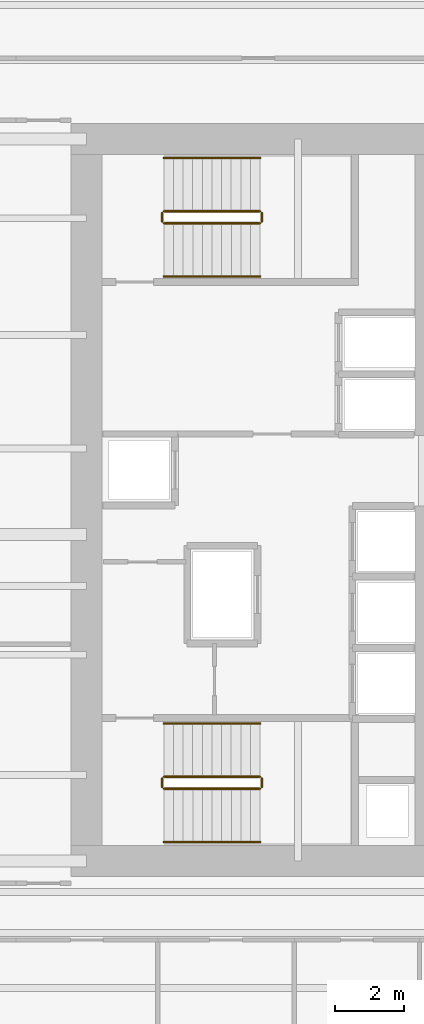
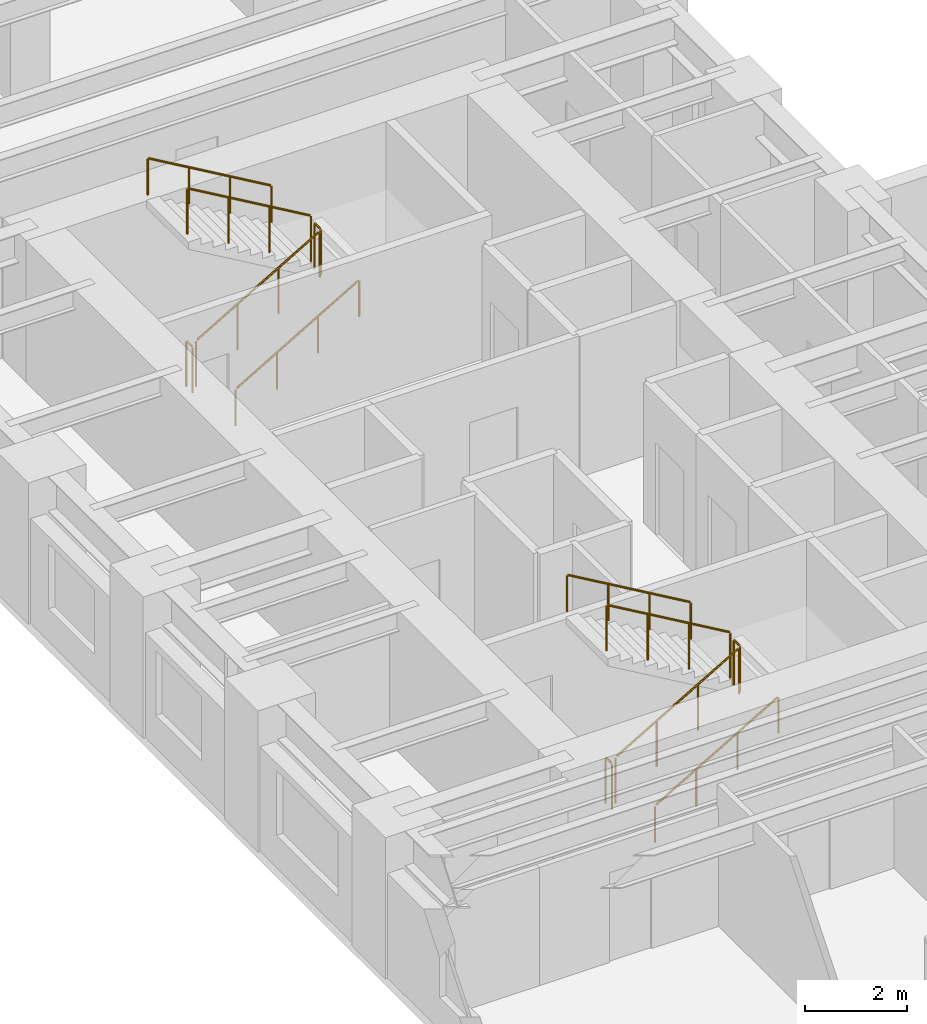
# One storey, part 11 of 12: 12 railings.
"""IFC4 building model written with IfcOpenShell, lengths in metres."""

import ifcopenshell
import ifcopenshell.guid

model = None  # the IFC model being written
_history = None  # IfcOwnerHistory: only IFC2X3 demands one
_inside = {}  # id of a spatial element -> (the spatial element, [elements in it])
_under = {}  # id of a project, library or spatial element -> (it, [spatial elements below it])
_declared = {}  # id of a project -> (the project, [libraries it declares])
_typed = {}  # id of a type object -> (the type object, [elements of that type])
_made_of = {}  # id of a material, layer set ... -> (it, [elements and type objects made of it])


def new_model(schema):
    """Start an empty IFC model of exactly this schema.

    Asked for "IFC4X3", IfcOpenShell would pick the latest addendum, in which some entities
    have other attributes; the version numbers below select the first issue.
    IFC2X3 requires an IfcOwnerHistory on every rooted entity: one is made here for all.
    """
    global model, _history
    if schema == "IFC4X3":
        model = ifcopenshell.file(schema_version=(4, 3, 0, 0))
    else:
        model = ifcopenshell.file(schema=schema)
    _inside.clear()
    _under.clear()
    _declared.clear()
    _typed.clear()
    _made_of.clear()
    _history = None
    if model.schema == "IFC2X3":
        org = make("IfcOrganization", Name="unknown")
        user = make(
            "IfcPersonAndOrganization",
            ThePerson=make("IfcPerson", FamilyName="unknown"),
            TheOrganization=org,
        )
        app = make(
            "IfcApplication",
            ApplicationDeveloper=org,
            Version="unknown",
            ApplicationFullName="unknown",
            ApplicationIdentifier="unknown",
        )
        _history = make(
            "IfcOwnerHistory",
            OwningUser=user,
            OwningApplication=app,
            ChangeAction="ADDED",
            CreationDate=0,
        )
    return model


def make(cls, **values):
    """One entity of the class cls with the attributes given. An attribute that is None is left unset."""
    return model.create_entity(
        cls, **{name: value for name, value in values.items() if value is not None}
    )


def rooted(cls, **values):
    """An entity with a GlobalId (a new one), such as an element, a storey or a relation."""
    return make(cls, GlobalId=ifcopenshell.guid.new(), OwnerHistory=_history, **values)


def si_unit(unit_type, name, prefix=None):
    """IfcSIUnit, for example si_unit("LENGTHUNIT", "METRE", prefix="MILLI")."""
    return make("IfcSIUnit", UnitType=unit_type, Prefix=prefix, Name=name)


def assignment(units):
    """IfcUnitAssignment: the units of a project."""
    return None if units is None else make("IfcUnitAssignment", Units=units)


def point(xyz):
    """IfcCartesianPoint."""
    return None if xyz is None else make("IfcCartesianPoint", Coordinates=xyz)


def direction(xyz):
    """IfcDirection."""
    return None if xyz is None else make("IfcDirection", DirectionRatios=xyz)


def frame(location, z_axis=None, x_axis=None):
    """IfcAxis2Placement3D, a coordinate frame: its origin and axes. An axis left out is left unset."""
    return make(
        "IfcAxis2Placement3D",
        Location=point(location),
        Axis=direction(z_axis),
        RefDirection=direction(x_axis),
    )


def frame_2d(location, x_axis=None):
    """IfcAxis2Placement2D, a coordinate frame in the plane: its origin and x axis."""
    return make(
        "IfcAxis2Placement2D", Location=point(location), RefDirection=direction(x_axis)
    )


def origin():
    """The frame at (0, 0, 0) with its axes left unset."""
    return frame((0.0, 0.0, 0.0))


def origin_2d():
    """The frame at (0, 0) in the plane with its x axis left unset."""
    return frame_2d((0.0, 0.0))


def place(relative_to, where):
    """IfcLocalPlacement: puts the frame where relative to a parent placement (None: the world)."""
    return make(
        "IfcLocalPlacement", PlacementRelTo=relative_to, RelativePlacement=where
    )


def context(
    kind, dimensions, precision=None, world=None, true_north=None, identifier=None
):
    """IfcGeometricRepresentationContext, for example the 3D "Model" context."""
    return make(
        "IfcGeometricRepresentationContext",
        ContextIdentifier=identifier,
        ContextType=kind,
        CoordinateSpaceDimension=dimensions,
        Precision=precision,
        WorldCoordinateSystem=world,
        TrueNorth=true_north,
    )


def subcontext(parent, identifier, kind, view, scale=None):
    """IfcGeometricRepresentationSubContext, for example "Body" below "Model"."""
    return make(
        "IfcGeometricRepresentationSubContext",
        ContextIdentifier=identifier,
        ContextType=kind,
        ParentContext=parent,
        TargetScale=scale,
        TargetView=view,
    )


def project(units=None, contexts=None):
    """IfcProject with its units and contexts."""
    return rooted(
        "IfcProject",
        Name="project",
        RepresentationContexts=contexts,
        UnitsInContext=assignment(units),
    )


def spatial(cls, under=None, at=None, **own):
    """A site, building, storey or space (cls), placed at a placement, below another one or the project."""
    s = rooted(cls, ObjectPlacement=at, **own)
    if under is not None:
        _under.setdefault(under.id(), (under, []))[1].append(s)
    return s


def profile(cls, at=None, kind="AREA", **sizes):
    """A parametric profile (cls). Its sizes go by their IFC names, for example OverallWidth=200.0."""
    return make(cls, ProfileType=kind, Position=at, **sizes)


def circle(**sizes):
    """IfcCircleProfileDef."""
    return profile("IfcCircleProfileDef", **sizes)


def extrude(swept, where, along, depth):
    """IfcExtrudedAreaSolid: the profile swept, set in the frame where, extruded along a direction by depth."""
    return make(
        "IfcExtrudedAreaSolid",
        SweptArea=swept,
        Position=where,
        ExtrudedDirection=direction(along),
        Depth=depth,
    )


def shape(context_of_items, identifier, shape_type, items):
    """IfcShapeRepresentation: the items that make up one representation, for example the "Body"."""
    return make(
        "IfcShapeRepresentation",
        ContextOfItems=context_of_items,
        RepresentationIdentifier=identifier,
        RepresentationType=shape_type,
        Items=items,
    )


def source(mapping_origin, context_of_items, identifier, shape_type, items):
    """IfcRepresentationMap: a shape defined once, which mapped items show again and again."""
    return make(
        "IfcRepresentationMap",
        MappingOrigin=mapping_origin,
        MappedRepresentation=shape(context_of_items, identifier, shape_type, items),
    )


def transform(
    local_origin,
    x_axis=None,
    y_axis=None,
    z_axis=None,
    scale=None,
    scale2=None,
    scale3=None,
    uniform=True,
):
    """IfcCartesianTransformationOperator3D, or its non-uniform kind. x_axis, y_axis, z_axis: its Axis1, 2, 3."""
    if uniform:
        return make(
            "IfcCartesianTransformationOperator3D",
            Axis1=direction(x_axis),
            Axis2=direction(y_axis),
            LocalOrigin=point(local_origin),
            Scale=scale,
            Axis3=direction(z_axis),
        )
    return make(
        "IfcCartesianTransformationOperator3DnonUniform",
        Axis1=direction(x_axis),
        Axis2=direction(y_axis),
        LocalOrigin=point(local_origin),
        Scale=scale,
        Axis3=direction(z_axis),
        Scale2=scale2,
        Scale3=scale3,
    )


def mapped(mapping_source, mapping_target):
    """IfcMappedItem: shows the shape of a source again, moved by a transform."""
    return make(
        "IfcMappedItem", MappingSource=mapping_source, MappingTarget=mapping_target
    )


def material(Name=None, Category=None):
    """IfcMaterial."""
    return make("IfcMaterial", Name=Name, Category=Category)


def layer(
    of_material, thickness, ventilated=None, Name=None, Category=None, Priority=None
):
    """IfcMaterialLayer: one layer of a wall or slab, of a material (None: an air gap)."""
    return make(
        "IfcMaterialLayer",
        Material=of_material,
        LayerThickness=thickness,
        IsVentilated=ventilated,
        Name=Name,
        Category=Category,
        Priority=Priority,
    )


def layer_set(layers, Name=None):
    """IfcMaterialLayerSet."""
    return make("IfcMaterialLayerSet", MaterialLayers=layers, LayerSetName=Name)


def made_of(thing, what):
    """Note that an element or type object is made of a material, layer set ...; save() writes the relation."""
    if what is not None:
        _made_of.setdefault(what.id(), (what, []))[1].append(thing)
    return thing


def type_object(cls, material=None, **own):
    """A type object (cls), such as IfcWallType, which elements share."""
    return made_of(rooted(cls, **own), material)


def element(
    cls,
    number,
    at=None,
    inside=None,
    cuts=None,
    type_object=None,
    material=None,
    context=None,
    identifier="Body",
    shape_type=None,
    held_by="IfcProductDefinitionShape",
    body=None,
    shapes=None,
    **own,
):
    """One element of the class cls, such as IfcWall. Its Tag is "e" and its number.

    at: its placement. inside: the storey or other place that contains it. cuts: it is an
    opening in that element (IfcRelVoidsElement). A single representation is given by context,
    identifier, shape_type and body (its items); several are given by shapes. held_by: the class
    of the entity that holds the representations. save() writes the other relations.
    """
    e = rooted(cls, Tag="e%d" % number, ObjectPlacement=at, **own)
    if body is not None:
        shapes = [shape(context, identifier, shape_type, body)]
    if shapes is not None:
        e.Representation = make(held_by, Representations=shapes)
    if inside is not None:
        _inside.setdefault(inside.id(), (inside, []))[1].append(e)
    if cuts is not None:
        rooted(
            "IfcRelVoidsElement", RelatingBuildingElement=cuts, RelatedOpeningElement=e
        )
    if type_object is not None:
        _typed.setdefault(type_object.id(), (type_object, []))[1].append(e)
    return made_of(e, material)


def aggregate(whole, parts):
    """IfcRelAggregates: a whole, such as a stair, and the parts it consists of."""
    return rooted("IfcRelAggregates", RelatingObject=whole, RelatedObjects=parts)


def save(model, path):
    """Write the relations noted so far, then the file.

    IfcRelAggregates (storeys below a building ...), IfcRelContainedInSpatialStructure (elements
    in a storey), IfcRelDefinesByType, IfcRelAssociatesMaterial and IfcRelDeclares: one each for
    every whole, place, type object, material and project.
    """
    for whole, parts in _under.values():
        aggregate(whole, parts)
    for where, things in _inside.values():
        rooted(
            "IfcRelContainedInSpatialStructure",
            RelatedElements=things,
            RelatingStructure=where,
        )
    for kind, things in _typed.values():
        rooted("IfcRelDefinesByType", RelatedObjects=things, RelatingType=kind)
    for what, things in _made_of.values():
        rooted("IfcRelAssociatesMaterial", RelatedObjects=things, RelatingMaterial=what)
    for by, libraries in _declared.values():
        rooted("IfcRelDeclares", RelatingContext=by, RelatedDefinitions=libraries)
    model.write(path)


model = new_model("IFC4")

# Units and contexts
model_context = context("Model", 3, precision=1e-05, world=origin(), true_north=direction((0.0, 1.0)))
body_context = subcontext(model_context, "Body", "Model", "MODEL_VIEW")
ifc_project = project(units=[si_unit("LENGTHUNIT", "METRE"), si_unit("AREAUNIT", "SQUARE_METRE"), si_unit("VOLUMEUNIT", "CUBIC_METRE"), si_unit("PLANEANGLEUNIT", "RADIAN"), si_unit("MASSUNIT", "GRAM", prefix="KILO")], contexts=[model_context])

# Site, building, storey
site_placement = place(None, origin())
site = spatial("IfcSite", under=ifc_project, at=site_placement, CompositionType="ELEMENT")
building_placement = place(site_placement, origin())
building = spatial("IfcBuilding", under=site, at=building_placement, Name="Kharzan Plaza Tower", CompositionType="ELEMENT")
storey_placement = place(building_placement, frame((0.0, 0.0, 51.300048828125)))
storey = spatial("IfcBuildingStorey", under=building, at=storey_placement, Name="L13", CompositionType="ELEMENT", Elevation=51.300048828125)

# Railings
ifc_material_1 = material(Name="Painted Galvanized Architectural Steel", Category="steel")
ifc_layer_1 = layer(ifc_material_1, 0.074951171875)
ifc_layer_set_1 = layer_set([ifc_layer_1], Name="Painted Galvanized Architectural Steel")
railing_type_1 = type_object("IfcRailingType", Name="RL-GUARD-1120", PredefinedType="BALUSTRADE", material=ifc_layer_set_1)
shared_shape_1 = source(origin(), body_context, "Body", "SweptSolid", [
    extrude(circle(Radius=0.02392578125, at=origin_2d()), frame((0.0, 0.0263671875, 1.09619140625), z_axis=(0.0, 1.0, 0.0), x_axis=(-1.0, 0.0, 0.0)), (0.0, 0.0, 1.0), 0.197021484375),
    extrude(circle(Radius=0.02099609375, at=origin_2d()), origin(), (0.0, 0.0, 1.0), 1.072021484375),
    extrude(circle(Radius=0.02099609375, at=origin_2d()), frame((0.0, 0.25, 0.0)), (0.0, 0.0, 1.0), 1.072021484375),
])
for number, where, name in (
    (1, (9.60009765625, 10.64990234375, 1.800048828125), "L13 ST-1 stair guard 2"),
    (2, (6.699951171875, 10.64990234375, 0.0), "L13 ST-1 stair guard 4"),
    (3, (9.60009765625, 27.10009765625, 1.800048828125), "L13 ST-2 stair guard 2"),
    (4, (6.699951171875, 27.10009765625, 0.0), "L13 ST-2 stair guard 4"),
):
    element("IfcRailing", number, at=place(storey_placement, frame(where)), inside=storey, type_object=railing_type_1, Name=name, PredefinedType="BALUSTRADE", context=body_context, shape_type="MappedRepresentation", body=[
        mapped(shared_shape_1, transform((0.0, 0.0, 0.0), x_axis=(1.0, 0.0, 0.0), y_axis=(0.0, 1.0, 0.0), z_axis=(0.0, 0.0, 1.0))),
    ])
shared_shape_2 = source(origin(), body_context, "Body", "SweptSolid", [
    extrude(circle(Radius=0.02392578125, at=origin_2d()), frame((0.02294921875, 0.0, 1.109375), z_axis=(0.863360870873, 0.0, 0.504586966384), x_axis=(0.0, 1.0, 0.0)), (0.0, 0.0, 1.0), 3.190185546875),
    extrude(circle(Radius=0.02099609375, at=origin_2d()), origin(), (0.0, 0.0, 1.0), 1.072021484375),
    extrude(circle(Radius=0.02099609375, at=origin_2d()), frame((0.933349609375, 0.0, 0.54541015625)), (0.0, 0.0, 1.0), 1.072021484375),
    extrude(circle(Radius=0.02099609375, at=origin_2d()), frame((1.86669921875, 0.0, 1.091064453125)), (0.0, 0.0, 1.0), 1.072021484375),
    extrude(circle(Radius=0.02099609375, at=origin_2d()), frame((2.800048828125, 0.0, 1.636474609375)), (0.0, 0.0, 1.0), 1.072021484375),
])
for number, where, name in (
    (5, (6.75, 10.60009765625, 0.16357421875), "L13 ST-1 stair guard 1"),
    (6, (6.75, 27.050048828125, 0.16357421875), "L13 ST-2 stair guard 1"),
):
    element("IfcRailing", number, at=place(storey_placement, frame(where)), inside=storey, type_object=railing_type_1, Name=name, PredefinedType="BALUSTRADE", context=body_context, shape_type="MappedRepresentation", body=[
        mapped(shared_shape_2, transform((0.0, 0.0, 0.0), x_axis=(1.0, 0.0, 0.0), y_axis=(0.0, 1.0, 0.0), z_axis=(0.0, 0.0, 1.0))),
    ])
ifc_material_2 = material(Name="Brushed Stainless Steel", Category="steel")
ifc_layer_2 = layer(ifc_material_2, 0.050048828125)
ifc_layer_set_2 = layer_set([ifc_layer_2], Name="Brushed Stainless Steel")
railing_type_2 = type_object("IfcRailingType", Name="RL-STAIR-HR920", PredefinedType="HANDRAIL", material=ifc_layer_set_2)
shared_shape_3 = source(origin(), body_context, "Body", "SweptSolid", [
    extrude(circle(Radius=0.02392578125, at=origin_2d()), frame((0.02294921875, 0.0, 0.88916015625), z_axis=(0.863360870873, 0.0, 0.504586966384), x_axis=(0.0, 1.0, 0.0)), (0.0, 0.0, 1.0), 3.190185546875),
    extrude(circle(Radius=0.02099609375, at=origin_2d()), origin(), (0.0, 0.0, 1.0), 0.851806640625),
    extrude(circle(Radius=0.02099609375, at=origin_2d()), frame((0.933349609375, 0.0, 0.54541015625)), (0.0, 0.0, 1.0), 0.851806640625),
    extrude(circle(Radius=0.02099609375, at=origin_2d()), frame((1.86669921875, 0.0, 1.091064453125)), (0.0, 0.0, 1.0), 0.851806640625),
    extrude(circle(Radius=0.02099609375, at=origin_2d()), frame((2.800048828125, 0.0, 1.636474609375)), (0.0, 0.0, 1.0), 0.851806640625),
])
for number, where, name in (
    (7, (6.75, 9.050048828125, 0.16357421875), "L13 ST-1 stair handrail 1"),
    (8, (6.75, 25.5, 0.16357421875), "L13 ST-2 stair handrail 1"),
):
    element("IfcRailing", number, at=place(storey_placement, frame(where)), inside=storey, type_object=railing_type_2, Name=name, PredefinedType="HANDRAIL", context=body_context, shape_type="MappedRepresentation", body=[
        mapped(shared_shape_3, transform((0.0, 0.0, 0.0), x_axis=(1.0, 0.0, 0.0), y_axis=(0.0, 1.0, 0.0), z_axis=(0.0, 0.0, 1.0))),
    ])
shared_shape_4 = source(origin(), body_context, "Body", "SweptSolid", [
    extrude(circle(Radius=0.02392578125, at=origin_2d()), frame((-0.02294921875, 0.0, 1.109375), z_axis=(-0.863393664356, 0.0, 0.504530851732), x_axis=(0.0, -1.0, 0.0)), (0.0, 0.0, 1.0), 3.190185546875),
    extrude(circle(Radius=0.02099609375, at=origin_2d()), origin(), (0.0, 0.0, 1.0), 1.072021484375),
    extrude(circle(Radius=0.02099609375, at=origin_2d()), frame((-0.933349609375, 0.0, 0.54541015625)), (0.0, 0.0, 1.0), 1.072021484375),
    extrude(circle(Radius=0.02099609375, at=origin_2d()), frame((-1.86669921875, 0.0, 1.0908203125)), (0.0, 0.0, 1.0), 1.072021484375),
    extrude(circle(Radius=0.02099609375, at=origin_2d()), frame((-2.800048828125, 0.0, 1.63623046875)), (0.0, 0.0, 1.0), 1.072021484375),
])
for number, where, name in (
    (9, (9.550048828125, 10.949951171875, 1.963623046875), "L13 ST-1 stair guard 3"),
    (10, (9.550048828125, 27.39990234375, 1.963623046875), "L13 ST-2 stair guard 3"),
):
    element("IfcRailing", number, at=place(storey_placement, frame(where)), inside=storey, type_object=railing_type_1, Name=name, PredefinedType="BALUSTRADE", context=body_context, shape_type="MappedRepresentation", body=[
        mapped(shared_shape_4, transform((0.0, 0.0, 0.0), x_axis=(1.0, 0.0, 0.0), y_axis=(0.0, 1.0, 0.0), z_axis=(0.0, 0.0, 1.0))),
    ])
shared_shape_5 = source(origin(), body_context, "Body", "SweptSolid", [
    extrude(circle(Radius=0.02392578125, at=origin_2d()), frame((-0.02294921875, 0.0, 0.88916015625), z_axis=(-0.863393664356, 0.0, 0.504530851732), x_axis=(0.0, -1.0, 0.0)), (0.0, 0.0, 1.0), 3.190185546875),
    extrude(circle(Radius=0.02099609375, at=origin_2d()), origin(), (0.0, 0.0, 1.0), 0.851806640625),
    extrude(circle(Radius=0.02099609375, at=origin_2d()), frame((-0.933349609375, 0.0, 0.54541015625)), (0.0, 0.0, 1.0), 0.851806640625),
    extrude(circle(Radius=0.02099609375, at=origin_2d()), frame((-1.86669921875, 0.0, 1.0908203125)), (0.0, 0.0, 1.0), 0.851806640625),
    extrude(circle(Radius=0.02099609375, at=origin_2d()), frame((-2.800048828125, 0.0, 1.63623046875)), (0.0, 0.0, 1.0), 0.851806640625),
])
for number, where, name in (
    (11, (9.550048828125, 12.5, 1.963623046875), "L13 ST-1 stair handrail 2"),
    (12, (9.550048828125, 28.949951171875, 1.963623046875), "L13 ST-2 stair handrail 2"),
):
    element("IfcRailing", number, at=place(storey_placement, frame(where)), inside=storey, type_object=railing_type_2, Name=name, PredefinedType="HANDRAIL", context=body_context, shape_type="MappedRepresentation", body=[
        mapped(shared_shape_5, transform((0.0, 0.0, 0.0), x_axis=(1.0, 0.0, 0.0), y_axis=(0.0, 1.0, 0.0), z_axis=(0.0, 0.0, 1.0))),
    ])

save(model, "model.ifc")
